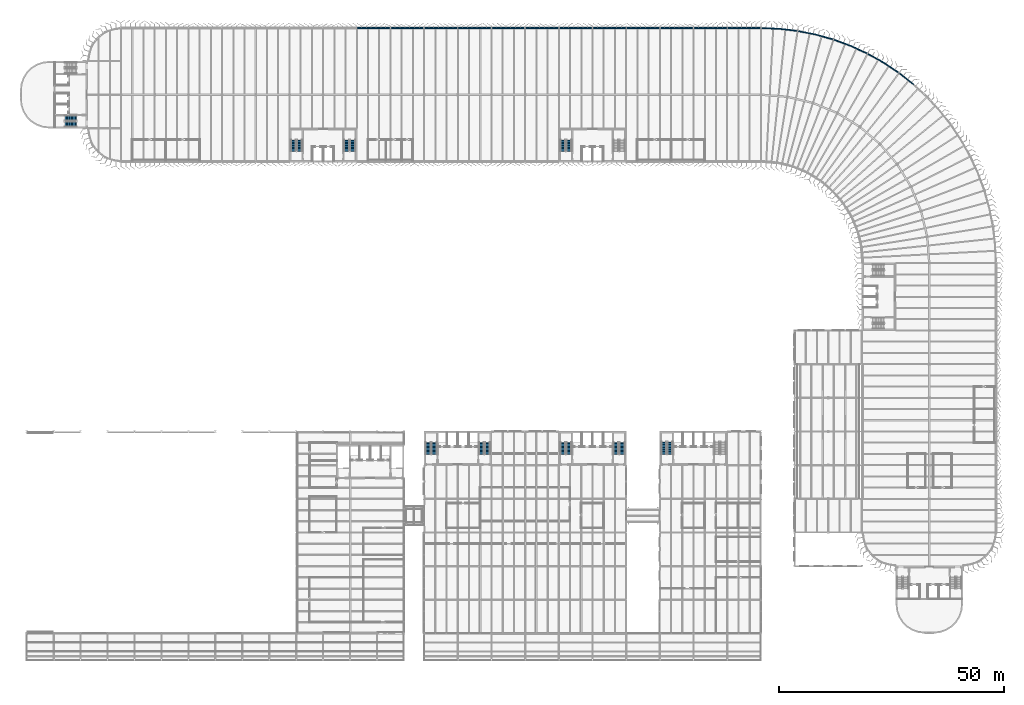
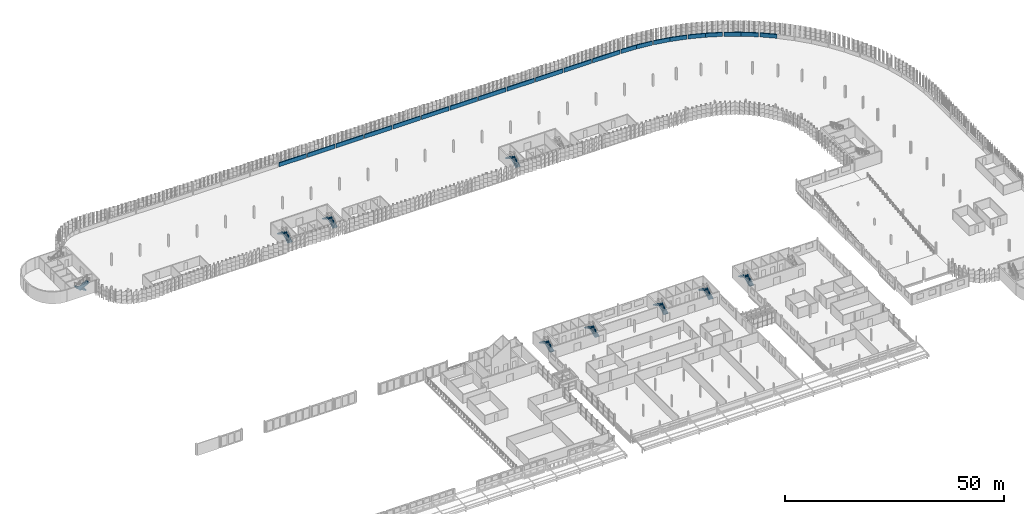
# One storey, part 80 of 214: 21 walls, 18 stair flights, 9 elements without a shape of their own.
"""IFC4 building model written with IfcOpenShell, lengths in metres."""

from ifc_helpers import new_model, si_unit, direction, frame, frame_2d, origin, place, context, subcontext, project, spatial, polyline, rectangle, outline, extrude, material, layer, layer_set, type_object, element, aggregate, save


model = new_model("IFC4")

# Units and contexts
model_context = context("Model", 3, precision=1e-05, world=origin(), true_north=direction((0.0, 1.0)))
body_context = subcontext(model_context, "Body", "Model", "MODEL_VIEW")
ifc_project = project(units=[si_unit("LENGTHUNIT", "METRE"), si_unit("AREAUNIT", "SQUARE_METRE"), si_unit("VOLUMEUNIT", "CUBIC_METRE"), si_unit("PLANEANGLEUNIT", "RADIAN"), si_unit("MASSUNIT", "GRAM", prefix="KILO")], contexts=[model_context])

# Site, building, storey
site_placement = place(None, origin())
site = spatial("IfcSite", under=ifc_project, at=site_placement, CompositionType="ELEMENT")
building_placement = place(site_placement, origin())
building = spatial("IfcBuilding", under=site, at=building_placement, Name="Parallax Yard Mobility Hub", CompositionType="ELEMENT")
storey_placement = place(building_placement, frame((0.0, 0.0, 3.300048828125)))
storey = spatial("IfcBuildingStorey", under=building, at=storey_placement, Name="L01", CompositionType="ELEMENT", Elevation=3.300048828125)

# Walls
ifc_material = material(Name="Concrete fc' 35 MPa", Category="concrete")
ifc_layer = layer(ifc_material, 0.25)
ifc_layer_set = layer_set([ifc_layer], Name="Deck-edge barrier wall, Concrete fc' 35 MPa precast, 250")
wall_type = type_object("IfcWallType", Name="Deck-edge barrier wall, Concrete fc' 35 MPa precast, 250", PredefinedType="SOLIDWALL", material=ifc_layer_set)
wall_1_placement = place(storey_placement, frame((206.49267578125, 129.809814453125, 0.0), z_axis=(0.0, 0.0, 1.0), x_axis=(-0.784718481655, 0.619852324792, 0.0)))
element("IfcWall", 1, at=wall_1_placement, inside=storey, type_object=wall_type, Name="Deck-edge barrier wall bay 46-2 level L01", PredefinedType="SOLIDWALL", context=body_context, shape_type="SweptSolid", body=[
    extrude(rectangle(XDim=3.956787109375, YDim=0.25, at=frame_2d((1.978515625, 0.0))), origin(), (0.0, 0.0, 1.0), 1.099853515625),
])
wall_2_placement = place(storey_placement, frame((203.152587890625, 132.43359375, 0.0), z_axis=(0.0, 0.0, 1.0), x_axis=(-0.832002880215, 0.554771310824, 0.0)))
element("IfcWall", 2, at=wall_2_placement, inside=storey, type_object=wall_type, Name="Deck-edge barrier wall bay 47-1 level L01", PredefinedType="SOLIDWALL", context=body_context, shape_type="SweptSolid", body=[
    extrude(rectangle(XDim=3.961181640625, YDim=0.25, at=frame_2d((1.98046875, 0.0))), origin(), (0.0, 0.0, 1.0), 1.099853515625),
])
wall_3_placement = place(storey_placement, frame((199.846435546875, 134.637451171875, 0.0), z_axis=(0.0, 0.0, 1.0), x_axis=(-0.872660587585, 0.488327245682, 0.0)))
element("IfcWall", 3, at=wall_3_placement, inside=storey, type_object=wall_type, Name="Deck-edge barrier wall bay 47-2 level L01", PredefinedType="SOLIDWALL", context=body_context, shape_type="SweptSolid", body=[
    extrude(rectangle(XDim=3.9580078125, YDim=0.25, at=frame_2d((1.97900390625, 0.0))), origin(), (0.0, 0.0, 1.0), 1.099853515625),
])
wall_4_placement = place(storey_placement, frame((196.1328125, 136.70263671875, 0.0), z_axis=(0.0, 0.0, 1.0), x_axis=(-0.908022547875, 0.418921296368, 0.0)))
element("IfcWall", 4, at=wall_4_placement, inside=storey, type_object=wall_type, Name="Deck-edge barrier wall bay 48-1 level L01", PredefinedType="SOLIDWALL", context=body_context, shape_type="SweptSolid", body=[
    extrude(rectangle(XDim=3.958740234375, YDim=0.25, at=frame_2d((1.9794921875, 0.0))), origin(), (0.0, 0.0, 1.0), 1.099853515625),
])
wall_5_placement = place(storey_placement, frame((192.52685546875, 138.36572265625, 0.0), z_axis=(0.0, 0.0, 1.0), x_axis=(-0.93785281513, 0.347033279604, 0.0)))
element("IfcWall", 5, at=wall_5_placement, inside=storey, type_object=wall_type, Name="Deck-edge barrier wall bay 48-2 level L01", PredefinedType="SOLIDWALL", context=body_context, shape_type="SweptSolid", body=[
    extrude(rectangle(XDim=3.960693359375, YDim=0.25, at=frame_2d((1.98046875, 0.0))), origin(), (0.0, 0.0, 1.0), 1.099853515625),
])
wall_6_placement = place(storey_placement, frame((188.53564453125, 139.830078125, 0.0), z_axis=(0.0, 0.0, 1.0), x_axis=(-0.962716246481, 0.270513269105, 0.0)))
element("IfcWall", 6, at=wall_6_placement, inside=storey, type_object=wall_type, Name="Deck-edge barrier wall bay 49-1 level L01", PredefinedType="SOLIDWALL", context=body_context, shape_type="SweptSolid", body=[
    extrude(rectangle(XDim=3.95654296875, YDim=0.25, at=frame_2d((1.978271484375, 0.0))), origin(), (0.0, 0.0, 1.0), 1.099853515625),
])
wall_7_placement = place(storey_placement, frame((184.714599609375, 140.903076171875, 0.0), z_axis=(0.0, 0.0, 1.0), x_axis=(-0.980838373357, 0.194823215634, 0.0)))
element("IfcWall", 7, at=wall_7_placement, inside=storey, type_object=wall_type, Name="Deck-edge barrier wall bay 49-2 level L01", PredefinedType="SOLIDWALL", context=body_context, shape_type="SweptSolid", body=[
    extrude(rectangle(XDim=3.958740234375, YDim=0.25, at=frame_2d((1.9794921875, 0.0))), origin(), (0.0, 0.0, 1.0), 1.099853515625),
])
wall_8_placement = place(storey_placement, frame((180.544189453125, 141.7197265625, 0.0), z_axis=(0.0, 0.0, 1.0), x_axis=(-0.993030098497, 0.117861034608, 0.0)))
element("IfcWall", 8, at=wall_8_placement, inside=storey, type_object=wall_type, Name="Deck-edge barrier wall bay 50-1 level L01", PredefinedType="SOLIDWALL", context=body_context, shape_type="SweptSolid", body=[
    extrude(rectangle(XDim=3.95849609375, YDim=0.25, at=frame_2d((1.979248046875, 0.0))), origin(), (0.0, 0.0, 1.0), 1.099853515625),
])
wall_9_placement = place(storey_placement, frame((176.60107421875, 142.187255859375, 0.0), z_axis=(0.0, 0.0, 1.0), x_axis=(-0.999191275027, 0.040209400773, 0.0)))
element("IfcWall", 9, at=wall_9_placement, inside=storey, type_object=wall_type, Name="Deck-edge barrier wall bay 50-2 level L01", PredefinedType="SOLIDWALL", context=body_context, shape_type="SweptSolid", body=[
    extrude(rectangle(XDim=3.958740234375, YDim=0.25, at=frame_2d((1.9794921875, 0.0))), origin(), (0.0, 0.0, 1.0), 1.099853515625),
])
for number, where, z_axis, x_axis, name in (
    (10, (172.348388671875, 142.3525390625, 0.0), (0.0, 0.0, 1.0), (-1.0, 0.0, 0.0), "Deck-edge barrier wall bay 51 level L01"),
    (11, (164.848388671875, 142.3525390625, 0.0), (0.0, 0.0, 1.0), (-1.0, 0.0, 0.0), "Deck-edge barrier wall bay 52 level L01"),
    (12, (157.348388671875, 142.3525390625, 0.0), (0.0, 0.0, 1.0), (-1.0, 0.0, 0.0), "Deck-edge barrier wall bay 53 level L01"),
    (13, (149.848388671875, 142.3525390625, 0.0), (0.0, 0.0, 1.0), (-1.0, 0.0, 0.0), "Deck-edge barrier wall bay 54 level L01"),
    (14, (142.348388671875, 142.3525390625, 0.0), (0.0, 0.0, 1.0), (-1.0, 0.0, 0.0), "Deck-edge barrier wall bay 55 level L01"),
    (15, (134.848388671875, 142.3525390625, 0.0), (0.0, 0.0, 1.0), (-1.0, 0.0, 0.0), "Deck-edge barrier wall bay 56 level L01"),
    (16, (127.348388671875, 142.3525390625, 0.0), (0.0, 0.0, 1.0), (-1.0, 0.0, 0.0), "Deck-edge barrier wall bay 57 level L01"),
    (17, (119.848388671875, 142.3525390625, 0.0), (0.0, 0.0, 1.0), (-1.0, 0.0, 0.0), "Deck-edge barrier wall bay 58 level L01"),
    (18, (112.348388671875, 142.3525390625, 0.0), (0.0, 0.0, 1.0), (-1.0, 0.0, 0.0), "Deck-edge barrier wall bay 59 level L01"),
    (19, (104.848388671875, 142.3525390625, 0.0), (0.0, 0.0, 1.0), (-1.0, 0.0, 0.0), "Deck-edge barrier wall bay 60 level L01"),
    (20, (97.348388671875, 142.3525390625, 0.0), (0.0, 0.0, 1.0), (-1.0, 0.0, 0.0), "Deck-edge barrier wall bay 61 level L01"),
    (21, (89.848388671875, 142.3525390625, 0.0), (0.0, 0.0, 1.0), (-1.0, 0.0, 0.0), "Deck-edge barrier wall bay 62 level L01"),
):
    element("IfcWall", number, at=place(storey_placement, frame(where, z_axis=z_axis, x_axis=x_axis)), inside=storey, type_object=wall_type, Name=name, PredefinedType="SOLIDWALL", context=body_context, shape_type="SweptSolid", body=[
        extrude(rectangle(XDim=7.19677734375, YDim=0.25, at=frame_2d((3.598388671875, 0.0))), origin(), (0.0, 0.0, 1.0), 1.099853515625),
    ])

# Stair, stair flights
stair_type_1 = type_object("IfcStairType", Name="Exit stair 1200 dog-leg", PredefinedType="HALF_TURN_STAIR", material=ifc_material)
stair_1_placement = place(storey_placement, origin())
stair_1 = element("IfcStair", 22, at=stair_1_placement, inside=storey, type_object=stair_type_1, Name="L01 Exit stair 1 of core C-W", PredefinedType="HALF_TURN_STAIR")
stair_flight_type_1 = type_object("IfcStairFlightType", Name="Exit stair flight 1200", PredefinedType="STRAIGHT", material=ifc_material)
stair_flight_1_placement = place(storey_placement, frame((20.10009765625, 122.25, 0.0), z_axis=(0.0, 0.0, 1.0), x_axis=(-1.0, 0.0, 0.0)))
stair_flight_1 = element("IfcStairFlight", 23, at=stair_flight_1_placement, type_object=stair_flight_type_1, Name="ST1 flight 1", NumberOfRisers=10, NumberOfTreads=9, PredefinedType="STRAIGHT", RiserHeight=0.165, TreadLength=0.285, context=body_context, shape_type="SweptSolid", body=[
    extrude(outline(polyline([(0.0, 0.0), (0.0, 0.1650390625), (0.284912109375, 0.1650390625), (0.284912109375, 0.330078125), (0.570068359375, 0.330078125), (0.570068359375, 0.4951171875), (0.85498046875, 0.4951171875), (0.85498046875, 0.659912109375), (1.139892578125, 0.659912109375), (1.139892578125, 0.824951171875), (1.425048828125, 0.824951171875), (1.425048828125, 0.989990234375), (1.7099609375, 0.989990234375), (1.7099609375, 1.155029296875), (1.9951171875, 1.155029296875), (1.9951171875, 1.320068359375), (2.280029296875, 1.320068359375), (2.280029296875, 1.485107421875), (2.56494140625, 1.485107421875), (2.56494140625, 1.64990234375), (2.56494140625, 1.311767578125), (0.299072265625, 0.0), (0.0, 0.0)])), frame((0.0, 0.60009765625, 0.0), z_axis=(0.0, -1.0, 0.0), x_axis=(1.0, 0.0, 0.0)), (0.0, 0.0, 1.0), 1.199951171875),
])
stair_flight_2_placement = place(storey_placement, frame((17.534912109375, 120.89990234375, 1.64990234375), z_axis=(0.0, 0.0, 1.0), x_axis=(1.0, 0.0, 0.0)))
stair_flight_2 = element("IfcStairFlight", 24, at=stair_flight_2_placement, type_object=stair_flight_type_1, Name="ST1 flight 2", NumberOfRisers=10, NumberOfTreads=9, PredefinedType="STRAIGHT", RiserHeight=0.165, TreadLength=0.285, context=body_context, shape_type="SweptSolid", body=[
    extrude(outline(polyline([(0.0, 0.0), (0.0, 0.1650390625), (0.284912109375, 0.1650390625), (0.284912109375, 0.330078125), (0.570068359375, 0.330078125), (0.570068359375, 0.4951171875), (0.85498046875, 0.4951171875), (0.85498046875, 0.659912109375), (1.139892578125, 0.659912109375), (1.139892578125, 0.824951171875), (1.425048828125, 0.824951171875), (1.425048828125, 0.989990234375), (1.7099609375, 0.989990234375), (1.7099609375, 1.155029296875), (1.9951171875, 1.155029296875), (1.9951171875, 1.320068359375), (2.280029296875, 1.320068359375), (2.280029296875, 1.485107421875), (2.56494140625, 1.485107421875), (2.56494140625, 1.64990234375), (2.56494140625, 1.311767578125), (0.299072265625, 0.0), (0.0, 0.0)])), frame((0.0, 0.60009765625, 0.0), z_axis=(0.0, -1.0, 0.0), x_axis=(1.0, 0.0, 0.0)), (0.0, 0.0, 1.0), 1.199951171875),
])
aggregate(stair_1, [stair_flight_1, stair_flight_2])

stair_2_placement = place(storey_placement, origin())
stair_2 = element("IfcStair", 25, at=stair_2_placement, inside=storey, type_object=stair_type_1, Name="L01 Exit stair 1 of core C-N1", PredefinedType="HALF_TURN_STAIR")
stair_flight_3_placement = place(storey_placement, frame((81.60009765625, 114.89990234375, 0.0), z_axis=(0.0, 0.0, 1.0), x_axis=(0.0, 1.0, 0.0)))
stair_flight_3 = element("IfcStairFlight", 26, at=stair_flight_3_placement, type_object=stair_flight_type_1, Name="ST3 flight 1", NumberOfRisers=10, NumberOfTreads=9, PredefinedType="STRAIGHT", RiserHeight=0.165, TreadLength=0.285, context=body_context, shape_type="SweptSolid", body=[
    extrude(outline(polyline([(0.0, 0.0), (0.0, 0.1650390625), (0.284912109375, 0.1650390625), (0.284912109375, 0.330078125), (0.570068359375, 0.330078125), (0.570068359375, 0.4951171875), (0.85498046875, 0.4951171875), (0.85498046875, 0.659912109375), (1.139892578125, 0.659912109375), (1.139892578125, 0.824951171875), (1.425048828125, 0.824951171875), (1.425048828125, 0.989990234375), (1.7099609375, 0.989990234375), (1.7099609375, 1.155029296875), (1.9951171875, 1.155029296875), (1.9951171875, 1.320068359375), (2.280029296875, 1.320068359375), (2.280029296875, 1.485107421875), (2.56494140625, 1.485107421875), (2.56494140625, 1.64990234375), (2.56494140625, 1.311767578125), (0.299072265625, 0.0), (0.0, 0.0)])), frame((0.0, 0.60009765625, 0.0), z_axis=(0.0, -1.0, 0.0), x_axis=(1.0, 0.0, 0.0)), (0.0, 0.0, 1.0), 1.199951171875),
])
stair_flight_4_placement = place(storey_placement, frame((80.25, 117.465087890625, 1.64990234375), z_axis=(0.0, 0.0, 1.0), x_axis=(0.0, -1.0, 0.0)))
stair_flight_4 = element("IfcStairFlight", 27, at=stair_flight_4_placement, type_object=stair_flight_type_1, Name="ST3 flight 2", NumberOfRisers=10, NumberOfTreads=9, PredefinedType="STRAIGHT", RiserHeight=0.165, TreadLength=0.285, context=body_context, shape_type="SweptSolid", body=[
    extrude(outline(polyline([(0.0, 0.0), (0.0, 0.1650390625), (0.284912109375, 0.1650390625), (0.284912109375, 0.330078125), (0.570068359375, 0.330078125), (0.570068359375, 0.4951171875), (0.85498046875, 0.4951171875), (0.85498046875, 0.659912109375), (1.139892578125, 0.659912109375), (1.139892578125, 0.824951171875), (1.425048828125, 0.824951171875), (1.425048828125, 0.989990234375), (1.7099609375, 0.989990234375), (1.7099609375, 1.155029296875), (1.9951171875, 1.155029296875), (1.9951171875, 1.320068359375), (2.280029296875, 1.320068359375), (2.280029296875, 1.485107421875), (2.56494140625, 1.485107421875), (2.56494140625, 1.64990234375), (2.56494140625, 1.311767578125), (0.299072265625, 0.0), (0.0, 0.0)])), frame((0.0, 0.60009765625, 0.0), z_axis=(0.0, -1.0, 0.0), x_axis=(1.0, 0.0, 0.0)), (0.0, 0.0, 1.0), 1.199951171875),
])
aggregate(stair_2, [stair_flight_3, stair_flight_4])

stair_3_placement = place(storey_placement, origin())
stair_3 = element("IfcStair", 28, at=stair_3_placement, inside=storey, type_object=stair_type_1, Name="L01 Exit stair 2 of core C-N1", PredefinedType="HALF_TURN_STAIR")
stair_flight_5_placement = place(storey_placement, frame((69.75, 114.89990234375, 0.0), z_axis=(0.0, 0.0, 1.0), x_axis=(0.0, 1.0, 0.0)))
stair_flight_5 = element("IfcStairFlight", 29, at=stair_flight_5_placement, type_object=stair_flight_type_1, Name="ST4 flight 1", NumberOfRisers=10, NumberOfTreads=9, PredefinedType="STRAIGHT", RiserHeight=0.165, TreadLength=0.285, context=body_context, shape_type="SweptSolid", body=[
    extrude(outline(polyline([(0.0, 0.0), (0.0, 0.1650390625), (0.284912109375, 0.1650390625), (0.284912109375, 0.330078125), (0.570068359375, 0.330078125), (0.570068359375, 0.4951171875), (0.85498046875, 0.4951171875), (0.85498046875, 0.659912109375), (1.139892578125, 0.659912109375), (1.139892578125, 0.824951171875), (1.425048828125, 0.824951171875), (1.425048828125, 0.989990234375), (1.7099609375, 0.989990234375), (1.7099609375, 1.155029296875), (1.9951171875, 1.155029296875), (1.9951171875, 1.320068359375), (2.280029296875, 1.320068359375), (2.280029296875, 1.485107421875), (2.56494140625, 1.485107421875), (2.56494140625, 1.64990234375), (2.56494140625, 1.311767578125), (0.299072265625, 0.0), (0.0, 0.0)])), frame((0.0, 0.60009765625, 0.0), z_axis=(0.0, -1.0, 0.0), x_axis=(1.0, 0.0, 0.0)), (0.0, 0.0, 1.0), 1.199951171875),
])
stair_flight_6_placement = place(storey_placement, frame((68.39990234375, 117.465087890625, 1.64990234375), z_axis=(0.0, 0.0, 1.0), x_axis=(0.0, -1.0, 0.0)))
stair_flight_6 = element("IfcStairFlight", 30, at=stair_flight_6_placement, type_object=stair_flight_type_1, Name="ST4 flight 2", NumberOfRisers=10, NumberOfTreads=9, PredefinedType="STRAIGHT", RiserHeight=0.165, TreadLength=0.285, context=body_context, shape_type="SweptSolid", body=[
    extrude(outline(polyline([(0.0, 0.0), (0.0, 0.1650390625), (0.284912109375, 0.1650390625), (0.284912109375, 0.330078125), (0.570068359375, 0.330078125), (0.570068359375, 0.4951171875), (0.85498046875, 0.4951171875), (0.85498046875, 0.659912109375), (1.139892578125, 0.659912109375), (1.139892578125, 0.824951171875), (1.425048828125, 0.824951171875), (1.425048828125, 0.989990234375), (1.7099609375, 0.989990234375), (1.7099609375, 1.155029296875), (1.9951171875, 1.155029296875), (1.9951171875, 1.320068359375), (2.280029296875, 1.320068359375), (2.280029296875, 1.485107421875), (2.56494140625, 1.485107421875), (2.56494140625, 1.64990234375), (2.56494140625, 1.311767578125), (0.299072265625, 0.0), (0.0, 0.0)])), frame((0.0, 0.60009765625, 0.0), z_axis=(0.0, -1.0, 0.0), x_axis=(1.0, 0.0, 0.0)), (0.0, 0.0, 1.0), 1.199951171875),
])
aggregate(stair_3, [stair_flight_5, stair_flight_6])

stair_4_placement = place(storey_placement, origin())
stair_4 = element("IfcStair", 31, at=stair_4_placement, inside=storey, type_object=stair_type_1, Name="L01 Exit stair 2 of core C-N2", PredefinedType="HALF_TURN_STAIR")
stair_flight_7_placement = place(storey_placement, frame((129.75, 114.89990234375, 0.0), z_axis=(0.0, 0.0, 1.0), x_axis=(0.0, 1.0, 0.0)))
stair_flight_7 = element("IfcStairFlight", 32, at=stair_flight_7_placement, type_object=stair_flight_type_1, Name="ST6 flight 1", NumberOfRisers=10, NumberOfTreads=9, PredefinedType="STRAIGHT", RiserHeight=0.165, TreadLength=0.285, context=body_context, shape_type="SweptSolid", body=[
    extrude(outline(polyline([(0.0, 0.0), (0.0, 0.1650390625), (0.284912109375, 0.1650390625), (0.284912109375, 0.330078125), (0.570068359375, 0.330078125), (0.570068359375, 0.4951171875), (0.85498046875, 0.4951171875), (0.85498046875, 0.659912109375), (1.139892578125, 0.659912109375), (1.139892578125, 0.824951171875), (1.425048828125, 0.824951171875), (1.425048828125, 0.989990234375), (1.7099609375, 0.989990234375), (1.7099609375, 1.155029296875), (1.9951171875, 1.155029296875), (1.9951171875, 1.320068359375), (2.280029296875, 1.320068359375), (2.280029296875, 1.485107421875), (2.56494140625, 1.485107421875), (2.56494140625, 1.64990234375), (2.56494140625, 1.311767578125), (0.299072265625, 0.0), (0.0, 0.0)])), frame((0.0, 0.60009765625, 0.0), z_axis=(0.0, -1.0, 0.0), x_axis=(1.0, 0.0, 0.0)), (0.0, 0.0, 1.0), 1.199951171875),
])
stair_flight_8_placement = place(storey_placement, frame((128.39990234375, 117.465087890625, 1.64990234375), z_axis=(0.0, 0.0, 1.0), x_axis=(0.0, -1.0, 0.0)))
stair_flight_8 = element("IfcStairFlight", 33, at=stair_flight_8_placement, type_object=stair_flight_type_1, Name="ST6 flight 2", NumberOfRisers=10, NumberOfTreads=9, PredefinedType="STRAIGHT", RiserHeight=0.165, TreadLength=0.285, context=body_context, shape_type="SweptSolid", body=[
    extrude(outline(polyline([(0.0, 0.0), (0.0, 0.1650390625), (0.284912109375, 0.1650390625), (0.284912109375, 0.330078125), (0.570068359375, 0.330078125), (0.570068359375, 0.4951171875), (0.85498046875, 0.4951171875), (0.85498046875, 0.659912109375), (1.139892578125, 0.659912109375), (1.139892578125, 0.824951171875), (1.425048828125, 0.824951171875), (1.425048828125, 0.989990234375), (1.7099609375, 0.989990234375), (1.7099609375, 1.155029296875), (1.9951171875, 1.155029296875), (1.9951171875, 1.320068359375), (2.280029296875, 1.320068359375), (2.280029296875, 1.485107421875), (2.56494140625, 1.485107421875), (2.56494140625, 1.64990234375), (2.56494140625, 1.311767578125), (0.299072265625, 0.0), (0.0, 0.0)])), frame((0.0, 0.60009765625, 0.0), z_axis=(0.0, -1.0, 0.0), x_axis=(1.0, 0.0, 0.0)), (0.0, 0.0, 1.0), 1.199951171875),
])
aggregate(stair_4, [stair_flight_7, stair_flight_8])

stair_type_2 = type_object("IfcStairType", Name="Public hall stair 1200 dog-leg", PredefinedType="HALF_TURN_STAIR", material=ifc_material)
stair_5_placement = place(storey_placement, origin())
stair_5 = element("IfcStair", 34, at=stair_5_placement, inside=storey, type_object=stair_type_2, Name="L01 Exit stair 1 of core C5", PredefinedType="HALF_TURN_STAIR")
stair_flight_type_2 = type_object("IfcStairFlightType", Name="Public hall stair flight 1200", PredefinedType="STRAIGHT", material=ifc_material)
stair_flight_9_placement = place(storey_placement, frame((152.25, 47.39990234375, 0.0), z_axis=(0.0, 0.0, 1.0), x_axis=(0.0, 1.0, 0.0)))
stair_flight_9 = element("IfcStairFlight", 35, at=stair_flight_9_placement, type_object=stair_flight_type_2, Name="ST15 flight 1", NumberOfRisers=10, NumberOfTreads=9, PredefinedType="STRAIGHT", RiserHeight=0.165, TreadLength=0.31, context=body_context, shape_type="SweptSolid", body=[
    extrude(outline(polyline([(0.0, 0.0), (0.0, 0.1650390625), (0.31005859375, 0.1650390625), (0.31005859375, 0.330078125), (0.6201171875, 0.330078125), (0.6201171875, 0.4951171875), (0.929931640625, 0.4951171875), (0.929931640625, 0.659912109375), (1.239990234375, 0.659912109375), (1.239990234375, 0.824951171875), (1.550048828125, 0.824951171875), (1.550048828125, 0.989990234375), (1.860107421875, 0.989990234375), (1.860107421875, 1.155029296875), (2.169921875, 1.155029296875), (2.169921875, 1.320068359375), (2.47998046875, 1.320068359375), (2.47998046875, 1.485107421875), (2.7900390625, 1.485107421875), (2.7900390625, 1.64990234375), (2.7900390625, 1.315185546875), (0.319091796875, 0.0), (0.0, 0.0)])), frame((0.0, 0.60009765625, 0.0), z_axis=(0.0, -1.0, 0.0), x_axis=(1.0, 0.0, 0.0)), (0.0, 0.0, 1.0), 1.199951171875),
])
stair_flight_10_placement = place(storey_placement, frame((150.89990234375, 50.18994140625, 1.64990234375), z_axis=(0.0, 0.0, 1.0), x_axis=(0.0, -1.0, 0.0)))
stair_flight_10 = element("IfcStairFlight", 36, at=stair_flight_10_placement, type_object=stair_flight_type_2, Name="ST15 flight 2", NumberOfRisers=10, NumberOfTreads=9, PredefinedType="STRAIGHT", RiserHeight=0.165, TreadLength=0.31, context=body_context, shape_type="SweptSolid", body=[
    extrude(outline(polyline([(0.0, 0.0), (0.0, 0.1650390625), (0.31005859375, 0.1650390625), (0.31005859375, 0.330078125), (0.6201171875, 0.330078125), (0.6201171875, 0.4951171875), (0.929931640625, 0.4951171875), (0.929931640625, 0.659912109375), (1.239990234375, 0.659912109375), (1.239990234375, 0.824951171875), (1.550048828125, 0.824951171875), (1.550048828125, 0.989990234375), (1.860107421875, 0.989990234375), (1.860107421875, 1.155029296875), (2.169921875, 1.155029296875), (2.169921875, 1.320068359375), (2.47998046875, 1.320068359375), (2.47998046875, 1.485107421875), (2.7900390625, 1.485107421875), (2.7900390625, 1.64990234375), (2.7900390625, 1.315185546875), (0.319091796875, 0.0), (0.0, 0.0)])), frame((0.0, 0.60009765625, 0.0), z_axis=(0.0, -1.0, 0.0), x_axis=(1.0, 0.0, 0.0)), (0.0, 0.0, 1.0), 1.199951171875),
])
aggregate(stair_5, [stair_flight_9, stair_flight_10])

stair_type_3 = type_object("IfcStairType", Name="Sports deck stair 1200 dog-leg", PredefinedType="HALF_TURN_STAIR", material=ifc_material)
stair_6_placement = place(storey_placement, origin())
stair_6 = element("IfcStair", 37, at=stair_6_placement, inside=storey, type_object=stair_type_3, Name="L01 Exit stair 1 of core C6-W", PredefinedType="HALF_TURN_STAIR")
stair_flight_type_3 = type_object("IfcStairFlightType", Name="Sports deck stair flight 1200", PredefinedType="STRAIGHT", material=ifc_material)
stair_flight_11_placement = place(storey_placement, frame((99.75, 47.39990234375, 0.0), z_axis=(0.0, 0.0, 1.0), x_axis=(0.0, 1.0, 0.0)))
stair_flight_11 = element("IfcStairFlight", 38, at=stair_flight_11_placement, type_object=stair_flight_type_3, Name="ST11 flight 1", NumberOfRisers=10, NumberOfTreads=9, PredefinedType="STRAIGHT", RiserHeight=0.165, TreadLength=0.3, context=body_context, shape_type="SweptSolid", body=[
    extrude(outline(polyline([(0.0, 0.0), (0.0, 0.1650390625), (0.300048828125, 0.1650390625), (0.300048828125, 0.330078125), (0.60009765625, 0.330078125), (0.60009765625, 0.4951171875), (0.89990234375, 0.4951171875), (0.89990234375, 0.659912109375), (1.199951171875, 0.659912109375), (1.199951171875, 0.824951171875), (1.5, 0.824951171875), (1.5, 0.989990234375), (1.800048828125, 0.989990234375), (1.800048828125, 1.155029296875), (2.10009765625, 1.155029296875), (2.10009765625, 1.320068359375), (2.39990234375, 1.320068359375), (2.39990234375, 1.485107421875), (2.699951171875, 1.485107421875), (2.699951171875, 1.64990234375), (2.699951171875, 1.31396484375), (0.31103515625, 0.0), (0.0, 0.0)])), frame((0.0, 0.60009765625, 0.0), z_axis=(0.0, -1.0, 0.0), x_axis=(1.0, 0.0, 0.0)), (0.0, 0.0, 1.0), 1.199951171875),
])
stair_flight_12_placement = place(storey_placement, frame((98.39990234375, 50.10009765625, 1.64990234375), z_axis=(0.0, 0.0, 1.0), x_axis=(0.0, -1.0, 0.0)))
stair_flight_12 = element("IfcStairFlight", 39, at=stair_flight_12_placement, type_object=stair_flight_type_3, Name="ST11 flight 2", NumberOfRisers=10, NumberOfTreads=9, PredefinedType="STRAIGHT", RiserHeight=0.165, TreadLength=0.3, context=body_context, shape_type="SweptSolid", body=[
    extrude(outline(polyline([(0.0, 0.0), (0.0, 0.1650390625), (0.300048828125, 0.1650390625), (0.300048828125, 0.330078125), (0.60009765625, 0.330078125), (0.60009765625, 0.4951171875), (0.89990234375, 0.4951171875), (0.89990234375, 0.659912109375), (1.199951171875, 0.659912109375), (1.199951171875, 0.824951171875), (1.5, 0.824951171875), (1.5, 0.989990234375), (1.800048828125, 0.989990234375), (1.800048828125, 1.155029296875), (2.10009765625, 1.155029296875), (2.10009765625, 1.320068359375), (2.39990234375, 1.320068359375), (2.39990234375, 1.485107421875), (2.699951171875, 1.485107421875), (2.699951171875, 1.64990234375), (2.699951171875, 1.31396484375), (0.31103515625, 0.0), (0.0, 0.0)])), frame((0.0, 0.60009765625, 0.0), z_axis=(0.0, -1.0, 0.0), x_axis=(1.0, 0.0, 0.0)), (0.0, 0.0, 1.0), 1.199951171875),
])
aggregate(stair_6, [stair_flight_11, stair_flight_12])

stair_7_placement = place(storey_placement, origin())
stair_7 = element("IfcStair", 40, at=stair_7_placement, inside=storey, type_object=stair_type_3, Name="L01 Exit stair 2 of core C6-W", PredefinedType="HALF_TURN_STAIR")
stair_flight_13_placement = place(storey_placement, frame((111.60009765625, 47.39990234375, 0.0), z_axis=(0.0, 0.0, 1.0), x_axis=(0.0, 1.0, 0.0)))
stair_flight_13 = element("IfcStairFlight", 41, at=stair_flight_13_placement, type_object=stair_flight_type_3, Name="ST12 flight 1", NumberOfRisers=10, NumberOfTreads=9, PredefinedType="STRAIGHT", RiserHeight=0.165, TreadLength=0.3, context=body_context, shape_type="SweptSolid", body=[
    extrude(outline(polyline([(0.0, 0.0), (0.0, 0.1650390625), (0.300048828125, 0.1650390625), (0.300048828125, 0.330078125), (0.60009765625, 0.330078125), (0.60009765625, 0.4951171875), (0.89990234375, 0.4951171875), (0.89990234375, 0.659912109375), (1.199951171875, 0.659912109375), (1.199951171875, 0.824951171875), (1.5, 0.824951171875), (1.5, 0.989990234375), (1.800048828125, 0.989990234375), (1.800048828125, 1.155029296875), (2.10009765625, 1.155029296875), (2.10009765625, 1.320068359375), (2.39990234375, 1.320068359375), (2.39990234375, 1.485107421875), (2.699951171875, 1.485107421875), (2.699951171875, 1.64990234375), (2.699951171875, 1.31396484375), (0.31103515625, 0.0), (0.0, 0.0)])), frame((0.0, 0.60009765625, 0.0), z_axis=(0.0, -1.0, 0.0), x_axis=(1.0, 0.0, 0.0)), (0.0, 0.0, 1.0), 1.199951171875),
])
stair_flight_14_placement = place(storey_placement, frame((110.25, 50.10009765625, 1.64990234375), z_axis=(0.0, 0.0, 1.0), x_axis=(0.0, -1.0, 0.0)))
stair_flight_14 = element("IfcStairFlight", 42, at=stair_flight_14_placement, type_object=stair_flight_type_3, Name="ST12 flight 2", NumberOfRisers=10, NumberOfTreads=9, PredefinedType="STRAIGHT", RiserHeight=0.165, TreadLength=0.3, context=body_context, shape_type="SweptSolid", body=[
    extrude(outline(polyline([(0.0, 0.0), (0.0, 0.1650390625), (0.300048828125, 0.1650390625), (0.300048828125, 0.330078125), (0.60009765625, 0.330078125), (0.60009765625, 0.4951171875), (0.89990234375, 0.4951171875), (0.89990234375, 0.659912109375), (1.199951171875, 0.659912109375), (1.199951171875, 0.824951171875), (1.5, 0.824951171875), (1.5, 0.989990234375), (1.800048828125, 0.989990234375), (1.800048828125, 1.155029296875), (2.10009765625, 1.155029296875), (2.10009765625, 1.320068359375), (2.39990234375, 1.320068359375), (2.39990234375, 1.485107421875), (2.699951171875, 1.485107421875), (2.699951171875, 1.64990234375), (2.699951171875, 1.31396484375), (0.31103515625, 0.0), (0.0, 0.0)])), frame((0.0, 0.60009765625, 0.0), z_axis=(0.0, -1.0, 0.0), x_axis=(1.0, 0.0, 0.0)), (0.0, 0.0, 1.0), 1.199951171875),
])
aggregate(stair_7, [stair_flight_13, stair_flight_14])

stair_8_placement = place(storey_placement, origin())
stair_8 = element("IfcStair", 43, at=stair_8_placement, inside=storey, type_object=stair_type_3, Name="L01 Exit stair 1 of core C6-E", PredefinedType="HALF_TURN_STAIR")
stair_flight_15_placement = place(storey_placement, frame((129.75, 47.39990234375, 0.0), z_axis=(0.0, 0.0, 1.0), x_axis=(0.0, 1.0, 0.0)))
stair_flight_15 = element("IfcStairFlight", 44, at=stair_flight_15_placement, type_object=stair_flight_type_3, Name="ST13 flight 1", NumberOfRisers=10, NumberOfTreads=9, PredefinedType="STRAIGHT", RiserHeight=0.165, TreadLength=0.3, context=body_context, shape_type="SweptSolid", body=[
    extrude(outline(polyline([(0.0, 0.0), (0.0, 0.1650390625), (0.300048828125, 0.1650390625), (0.300048828125, 0.330078125), (0.60009765625, 0.330078125), (0.60009765625, 0.4951171875), (0.89990234375, 0.4951171875), (0.89990234375, 0.659912109375), (1.199951171875, 0.659912109375), (1.199951171875, 0.824951171875), (1.5, 0.824951171875), (1.5, 0.989990234375), (1.800048828125, 0.989990234375), (1.800048828125, 1.155029296875), (2.10009765625, 1.155029296875), (2.10009765625, 1.320068359375), (2.39990234375, 1.320068359375), (2.39990234375, 1.485107421875), (2.699951171875, 1.485107421875), (2.699951171875, 1.64990234375), (2.699951171875, 1.31396484375), (0.31103515625, 0.0), (0.0, 0.0)])), frame((0.0, 0.60009765625, 0.0), z_axis=(0.0, -1.0, 0.0), x_axis=(1.0, 0.0, 0.0)), (0.0, 0.0, 1.0), 1.199951171875),
])
stair_flight_16_placement = place(storey_placement, frame((128.39990234375, 50.10009765625, 1.64990234375), z_axis=(0.0, 0.0, 1.0), x_axis=(0.0, -1.0, 0.0)))
stair_flight_16 = element("IfcStairFlight", 45, at=stair_flight_16_placement, type_object=stair_flight_type_3, Name="ST13 flight 2", NumberOfRisers=10, NumberOfTreads=9, PredefinedType="STRAIGHT", RiserHeight=0.165, TreadLength=0.3, context=body_context, shape_type="SweptSolid", body=[
    extrude(outline(polyline([(0.0, 0.0), (0.0, 0.1650390625), (0.300048828125, 0.1650390625), (0.300048828125, 0.330078125), (0.60009765625, 0.330078125), (0.60009765625, 0.4951171875), (0.89990234375, 0.4951171875), (0.89990234375, 0.659912109375), (1.199951171875, 0.659912109375), (1.199951171875, 0.824951171875), (1.5, 0.824951171875), (1.5, 0.989990234375), (1.800048828125, 0.989990234375), (1.800048828125, 1.155029296875), (2.10009765625, 1.155029296875), (2.10009765625, 1.320068359375), (2.39990234375, 1.320068359375), (2.39990234375, 1.485107421875), (2.699951171875, 1.485107421875), (2.699951171875, 1.64990234375), (2.699951171875, 1.31396484375), (0.31103515625, 0.0), (0.0, 0.0)])), frame((0.0, 0.60009765625, 0.0), z_axis=(0.0, -1.0, 0.0), x_axis=(1.0, 0.0, 0.0)), (0.0, 0.0, 1.0), 1.199951171875),
])
aggregate(stair_8, [stair_flight_15, stair_flight_16])

stair_9_placement = place(storey_placement, origin())
stair_9 = element("IfcStair", 46, at=stair_9_placement, inside=storey, type_object=stair_type_3, Name="L01 Exit stair 2 of core C6-E", PredefinedType="HALF_TURN_STAIR")
stair_flight_17_placement = place(storey_placement, frame((141.60009765625, 47.39990234375, 0.0), z_axis=(0.0, 0.0, 1.0), x_axis=(0.0, 1.0, 0.0)))
stair_flight_17 = element("IfcStairFlight", 47, at=stair_flight_17_placement, type_object=stair_flight_type_3, Name="ST14 flight 1", NumberOfRisers=10, NumberOfTreads=9, PredefinedType="STRAIGHT", RiserHeight=0.165, TreadLength=0.3, context=body_context, shape_type="SweptSolid", body=[
    extrude(outline(polyline([(0.0, 0.0), (0.0, 0.1650390625), (0.300048828125, 0.1650390625), (0.300048828125, 0.330078125), (0.60009765625, 0.330078125), (0.60009765625, 0.4951171875), (0.89990234375, 0.4951171875), (0.89990234375, 0.659912109375), (1.199951171875, 0.659912109375), (1.199951171875, 0.824951171875), (1.5, 0.824951171875), (1.5, 0.989990234375), (1.800048828125, 0.989990234375), (1.800048828125, 1.155029296875), (2.10009765625, 1.155029296875), (2.10009765625, 1.320068359375), (2.39990234375, 1.320068359375), (2.39990234375, 1.485107421875), (2.699951171875, 1.485107421875), (2.699951171875, 1.64990234375), (2.699951171875, 1.31396484375), (0.31103515625, 0.0), (0.0, 0.0)])), frame((0.0, 0.60009765625, 0.0), z_axis=(0.0, -1.0, 0.0), x_axis=(1.0, 0.0, 0.0)), (0.0, 0.0, 1.0), 1.199951171875),
])
stair_flight_18_placement = place(storey_placement, frame((140.25, 50.10009765625, 1.64990234375), z_axis=(0.0, 0.0, 1.0), x_axis=(0.0, -1.0, 0.0)))
stair_flight_18 = element("IfcStairFlight", 48, at=stair_flight_18_placement, type_object=stair_flight_type_3, Name="ST14 flight 2", NumberOfRisers=10, NumberOfTreads=9, PredefinedType="STRAIGHT", RiserHeight=0.165, TreadLength=0.3, context=body_context, shape_type="SweptSolid", body=[
    extrude(outline(polyline([(0.0, 0.0), (0.0, 0.1650390625), (0.300048828125, 0.1650390625), (0.300048828125, 0.330078125), (0.60009765625, 0.330078125), (0.60009765625, 0.4951171875), (0.89990234375, 0.4951171875), (0.89990234375, 0.659912109375), (1.199951171875, 0.659912109375), (1.199951171875, 0.824951171875), (1.5, 0.824951171875), (1.5, 0.989990234375), (1.800048828125, 0.989990234375), (1.800048828125, 1.155029296875), (2.10009765625, 1.155029296875), (2.10009765625, 1.320068359375), (2.39990234375, 1.320068359375), (2.39990234375, 1.485107421875), (2.699951171875, 1.485107421875), (2.699951171875, 1.64990234375), (2.699951171875, 1.31396484375), (0.31103515625, 0.0), (0.0, 0.0)])), frame((0.0, 0.60009765625, 0.0), z_axis=(0.0, -1.0, 0.0), x_axis=(1.0, 0.0, 0.0)), (0.0, 0.0, 1.0), 1.199951171875),
])
aggregate(stair_9, [stair_flight_17, stair_flight_18])

save(model, "model.ifc")
